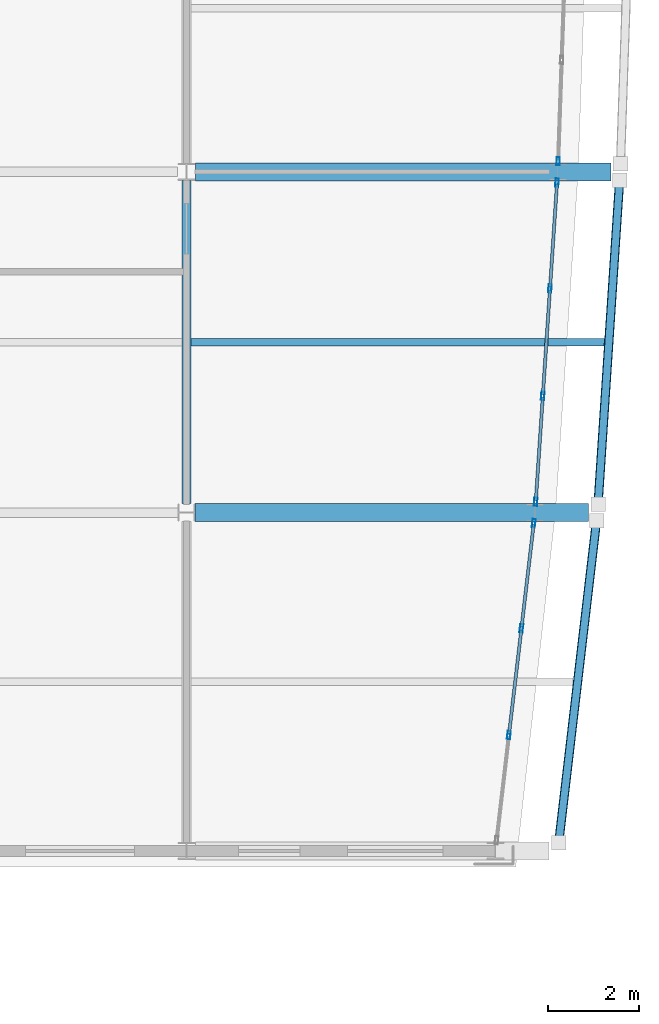
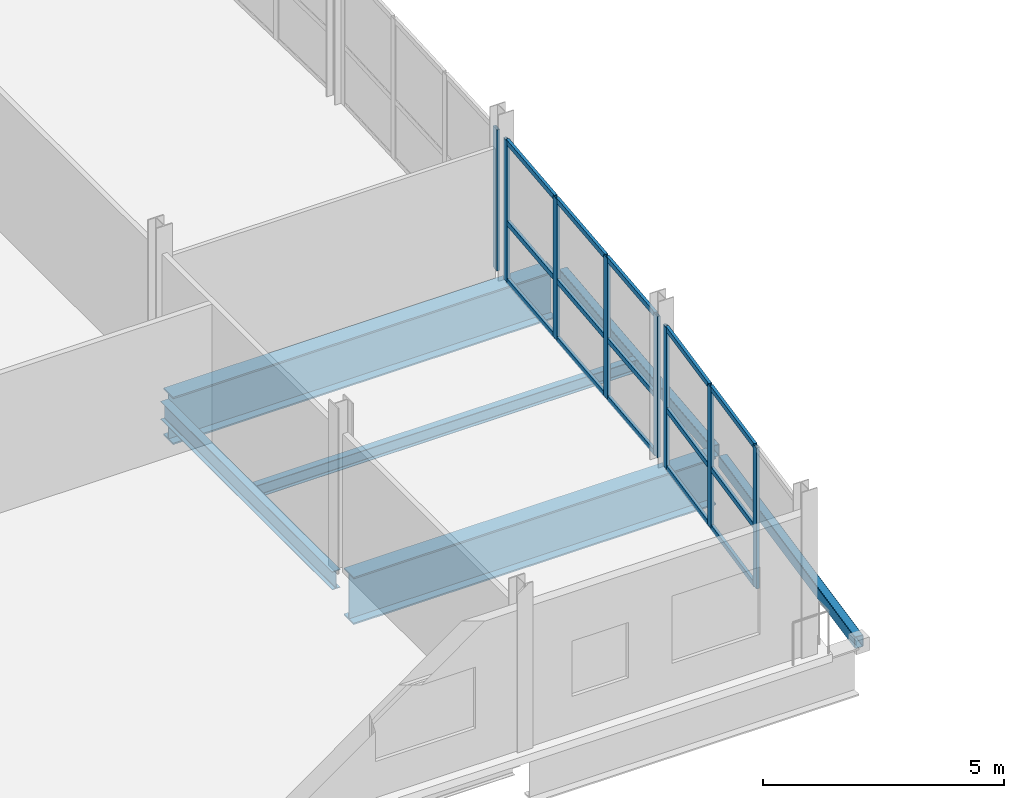
# One storey, part 4 of 23: 23 members, 6 beams, 3 elements without a shape of their own.
"""IFC4 building model written with IfcOpenShell, lengths in metres."""

from ifc_helpers import new_model, si_unit, direction, frame, origin, origin_2d, place, context, subcontext, project, spatial, hollow_rectangle, i_section, extrude, material, layer, layer_set, material_profile, profile_set, type_object, element, aggregate, save


model = new_model("IFC4")

# Units and contexts
model_context = context("Model", 3, precision=1e-05, world=origin(), true_north=direction((0.0, 1.0)))
body_context = subcontext(model_context, "Body", "Model", "MODEL_VIEW")
ifc_project = project(units=[si_unit("LENGTHUNIT", "METRE"), si_unit("AREAUNIT", "SQUARE_METRE"), si_unit("VOLUMEUNIT", "CUBIC_METRE"), si_unit("PLANEANGLEUNIT", "RADIAN"), si_unit("MASSUNIT", "GRAM", prefix="KILO")], contexts=[model_context])

# Site, building, storey
site_placement = place(None, origin())
site = spatial("IfcSite", under=ifc_project, at=site_placement, CompositionType="ELEMENT")
building_placement = place(site_placement, origin())
building = spatial("IfcBuilding", under=site, at=building_placement, Name="Quillay Park Conservatory", CompositionType="ELEMENT")
storey_placement = place(building_placement, frame((0.0, 0.0, 22.5)))
storey = spatial("IfcBuildingStorey", under=building, at=storey_placement, Name="L05", CompositionType="ELEMENT", Elevation=22.5)

# Beam
ifc_material_1 = material(Name="Steel ASTM A992 Grade 50", Category="steel")
ifc_material_profile_1 = material_profile(ifc_material_1, i_section(OverallWidth=0.166015625, OverallDepth=0.31298828125, WebThickness=0.006591796875, FlangeThickness=0.01123046875, FilletRadius=0.010009765625, at=origin_2d()), Name="W310x45")
ifc_profile_set_1 = profile_set([ifc_material_profile_1], Name="Steel ASTM A992 Grade 50")
beam_type_1 = type_object("IfcBeamType", Name="COMPOSITE FLOOR JOIST W310 X45", PredefinedType="JOIST", material=ifc_profile_set_1)
beam_1_placement = place(storey_placement, frame((19.845947265625, 74.25, -0.3564453125), z_axis=(1.0, 0.0, 0.0), x_axis=(0.0, 1.0, 0.0)))
element("IfcBeam", 1, at=beam_1_placement, inside=storey, type_object=beam_type_1, Name="L05 beam BM-J-0414", PredefinedType="JOIST", context=body_context, shape_type="SweptSolid", body=[
    extrude(i_section(OverallWidth=0.166015625, OverallDepth=0.31298828125, WebThickness=0.006591796875, FlangeThickness=0.01123046875, FilletRadius=0.010009765625, at=origin_2d()), origin(), (0.0, 0.0, 1.0), 9.10400390625),
])

# Curtain wall, members
ifc_material_2 = material(Name="Thermally Broken Anodised Aluminium 6063-T6", Category="aluminium")
ifc_layer = layer(ifc_material_2, 0.179931640625)
ifc_layer_set = layer_set([ifc_layer], Name="UNITISED CURTAIN WALL TOWER (Thermally Broken Anodised Aluminium 6063-T6)")
curtain_wall_type = type_object("IfcCurtainWallType", Name="UNITISED CURTAIN WALL TOWER", PredefinedType="USERDEFINED", material=ifc_layer_set)
curtain_wall_1_placement = place(storey_placement, origin())
curtain_wall_1 = element("IfcCurtainWall", 2, at=curtain_wall_1_placement, inside=storey, type_object=curtain_wall_type, Name="L05 Unitised Curtain Wall 048", ObjectType="UNITISED CURTAIN WALL", PredefinedType="USERDEFINED")
ifc_material_3 = material(Name="Thermally Broken Anodised Aluminium 6063-T6", Category="aluminium")
ifc_material_profile_2 = material_profile(ifc_material_3, hollow_rectangle(XDim=0.070068359375, YDim=0.179931640625, WallThickness=0.00390625, at=origin_2d()), Name="AL70x180x4")
ifc_profile_set_2 = profile_set([ifc_material_profile_2], Name="Thermally Broken Anodised Aluminium 6063-T6")
member_type_1 = type_object("IfcMemberType", Name="CURTAIN WALL MULLION 70 X180", PredefinedType="MULLION", material=ifc_profile_set_2)
member_1_placement = place(storey_placement, frame((27.397705078125, 70.2666015625, 0.0), z_axis=(0.0, 0.0, 1.0), x_axis=(0.993172502804, -0.116654959918, 0.0)))
member_1 = element("IfcMember", 3, at=member_1_placement, type_object=member_type_1, Name="CW-T1 mullion 1", PredefinedType="MULLION", context=body_context, shape_type="SweptSolid", body=[
    extrude(hollow_rectangle(XDim=0.070068359375, YDim=0.179931640625, WallThickness=0.00390625, at=origin_2d()), origin(), (0.0, 0.0, 1.0), 3.569091796875),
])
member_2_placement = place(storey_placement, frame((27.12548828125, 67.950439453125, 0.0), z_axis=(0.0, 0.0, 1.0), x_axis=(0.993172502804, -0.116654959918, 0.0)))
member_2 = element("IfcMember", 4, at=member_2_placement, type_object=member_type_1, Name="CW-T1 mullion 2", PredefinedType="MULLION", context=body_context, shape_type="SweptSolid", body=[
    extrude(hollow_rectangle(XDim=0.070068359375, YDim=0.179931640625, WallThickness=0.00390625, at=origin_2d()), origin(), (0.0, 0.0, 1.0), 3.569091796875),
])
member_3_placement = place(storey_placement, frame((26.849365234375, 65.599609375, 0.0), z_axis=(0.0, 0.0, 1.0), x_axis=(0.993172502804, -0.116654959918, 0.0)))
member_3 = element("IfcMember", 5, at=member_3_placement, type_object=member_type_1, Name="CW-T1 mullion 3", PredefinedType="MULLION", context=body_context, shape_type="SweptSolid", body=[
    extrude(hollow_rectangle(XDim=0.070068359375, YDim=0.179931640625, WallThickness=0.00390625, at=origin_2d()), origin(), (0.0, 0.0, 1.0), 3.569091796875),
])

curtain_wall_2_placement = place(storey_placement, origin())
curtain_wall_2 = element("IfcCurtainWall", 6, at=curtain_wall_2_placement, inside=storey, type_object=curtain_wall_type, Name="L05 Unitised Curtain Wall 049", ObjectType="UNITISED CURTAIN WALL", PredefinedType="USERDEFINED")
member_4_placement = place(storey_placement, frame((27.909423828125, 77.765380859375, 0.0), z_axis=(0.0, 0.0, 1.0), x_axis=(0.997785033503, -0.0665208758, 0.0)))
member_4 = element("IfcMember", 7, at=member_4_placement, type_object=member_type_1, Name="CW-T1 mullion 1", PredefinedType="MULLION", context=body_context, shape_type="SweptSolid", body=[
    extrude(hollow_rectangle(XDim=0.070068359375, YDim=0.179931640625, WallThickness=0.00390625, at=origin_2d()), origin(), (0.0, 0.0, 1.0), 3.569091796875),
])
member_5_placement = place(storey_placement, frame((27.75390625, 75.433349609375, 0.0), z_axis=(0.0, 0.0, 1.0), x_axis=(0.997785033503, -0.0665208758, 0.0)))
member_5 = element("IfcMember", 8, at=member_5_placement, type_object=member_type_1, Name="CW-T1 mullion 2", PredefinedType="MULLION", context=body_context, shape_type="SweptSolid", body=[
    extrude(hollow_rectangle(XDim=0.070068359375, YDim=0.179931640625, WallThickness=0.00390625, at=origin_2d()), origin(), (0.0, 0.0, 1.0), 3.569091796875),
])
member_6_placement = place(storey_placement, frame((27.59619140625, 73.066650390625, 0.0), z_axis=(0.0, 0.0, 1.0), x_axis=(0.997785033503, -0.0665208758, 0.0)))
member_6 = element("IfcMember", 9, at=member_6_placement, type_object=member_type_1, Name="CW-T1 mullion 3", PredefinedType="MULLION", context=body_context, shape_type="SweptSolid", body=[
    extrude(hollow_rectangle(XDim=0.070068359375, YDim=0.179931640625, WallThickness=0.00390625, at=origin_2d()), origin(), (0.0, 0.0, 1.0), 3.569091796875),
])
member_7_placement = place(storey_placement, frame((27.440673828125, 70.734619140625, 0.0), z_axis=(0.0, 0.0, 1.0), x_axis=(0.997785033503, -0.0665208758, 0.0)))
member_7 = element("IfcMember", 10, at=member_7_placement, type_object=member_type_1, Name="CW-T1 mullion 4", PredefinedType="MULLION", context=body_context, shape_type="SweptSolid", body=[
    extrude(hollow_rectangle(XDim=0.070068359375, YDim=0.179931640625, WallThickness=0.00390625, at=origin_2d()), origin(), (0.0, 0.0, 1.0), 3.569091796875),
])

# Curtain wall, member
curtain_wall_3_placement = place(storey_placement, origin())
curtain_wall_3 = element("IfcCurtainWall", 11, at=curtain_wall_3_placement, inside=storey, type_object=curtain_wall_type, Name="L05 Unitised Curtain Wall 050", ObjectType="UNITISED CURTAIN WALL", PredefinedType="USERDEFINED")
member_8_placement = place(storey_placement, frame((27.93310546875, 78.23486328125, 0.0), z_axis=(0.0, 0.0, 1.0), x_axis=(0.999397310446, -0.034713338537, 0.0)))
member_8 = element("IfcMember", 12, at=member_8_placement, type_object=member_type_1, Name="CW-T1 mullion 4", PredefinedType="MULLION", context=body_context, shape_type="SweptSolid", body=[
    extrude(hollow_rectangle(XDim=0.070068359375, YDim=0.179931640625, WallThickness=0.00390625, at=origin_2d()), origin(), (0.0, 0.0, 1.0), 3.569091796875),
])
aggregate(curtain_wall_3, [member_8])

# Member
ifc_material_4 = material(Name="Thermally Broken Anodised Aluminium 6063-T6", Category="aluminium")
ifc_material_profile_3 = material_profile(ifc_material_4, hollow_rectangle(XDim=0.070068359375, YDim=0.1298828125, WallThickness=0.003173828125, at=origin_2d()), Name="AL70x130x3.2")
ifc_profile_set_3 = profile_set([ifc_material_profile_3], Name="Thermally Broken Anodised Aluminium 6063-T6")
member_type_2 = type_object("IfcMemberType", Name="CURTAIN WALL TRANSOM 70 X130", PredefinedType="USERDEFINED", material=ifc_profile_set_3)
member_9_placement = place(storey_placement, frame((27.3935546875, 70.23193359375, 0.034912109375), z_axis=(-0.116659662976, -0.993171950386, 0.0), x_axis=(0.993171950386, -0.116659662976, 0.0)))
member_9 = element("IfcMember", 13, at=member_9_placement, type_object=member_type_2, Name="CW-T1 transom 1.1", ObjectType="TRANSOM", PredefinedType="USERDEFINED", context=body_context, shape_type="SweptSolid", body=[
    extrude(hollow_rectangle(XDim=0.070068359375, YDim=0.1298828125, WallThickness=0.003173828125, at=origin_2d()), origin(), (0.0, 0.0, 1.0), 2.26220703125),
])

member_10_placement = place(storey_placement, frame((27.3935546875, 70.23193359375, 1.4990234375), z_axis=(-0.116659662976, -0.993171950386, 0.0), x_axis=(0.993171950386, -0.116659662976, 0.0)))
member_10 = element("IfcMember", 14, at=member_10_placement, type_object=member_type_2, Name="CW-T1 transom 1.2", ObjectType="TRANSOM", PredefinedType="USERDEFINED", context=body_context, shape_type="SweptSolid", body=[
    extrude(hollow_rectangle(XDim=0.070068359375, YDim=0.1298828125, WallThickness=0.003173828125, at=origin_2d()), origin(), (0.0, 0.0, 1.0), 2.26220703125),
])

member_11_placement = place(storey_placement, frame((27.3935546875, 70.23193359375, 3.533935546875), z_axis=(-0.116659662976, -0.993171950386, 0.0), x_axis=(0.993171950386, -0.116659662976, 0.0)))
member_11 = element("IfcMember", 15, at=member_11_placement, type_object=member_type_2, Name="CW-T1 transom 1.3", ObjectType="TRANSOM", PredefinedType="USERDEFINED", context=body_context, shape_type="SweptSolid", body=[
    extrude(hollow_rectangle(XDim=0.070068359375, YDim=0.1298828125, WallThickness=0.003173828125, at=origin_2d()), origin(), (0.0, 0.0, 1.0), 2.26220703125),
])

member_12_placement = place(storey_placement, frame((27.12158203125, 67.915771484375, 0.034912109375), z_axis=(-0.116693255048, -0.993168004029, 0.0), x_axis=(0.993168004029, -0.116693255048, 0.0)))
member_12 = element("IfcMember", 16, at=member_12_placement, type_object=member_type_2, Name="CW-T1 transom 2.1", ObjectType="TRANSOM", PredefinedType="USERDEFINED", context=body_context, shape_type="SweptSolid", body=[
    extrude(hollow_rectangle(XDim=0.070068359375, YDim=0.1298828125, WallThickness=0.003173828125, at=origin_2d()), origin(), (0.0, 0.0, 1.0), 2.297119140625),
])

member_13_placement = place(storey_placement, frame((27.12158203125, 67.915771484375, 1.4990234375), z_axis=(-0.116693255048, -0.993168004029, 0.0), x_axis=(0.993168004029, -0.116693255048, 0.0)))
member_13 = element("IfcMember", 17, at=member_13_placement, type_object=member_type_2, Name="CW-T1 transom 2.2", ObjectType="TRANSOM", PredefinedType="USERDEFINED", context=body_context, shape_type="SweptSolid", body=[
    extrude(hollow_rectangle(XDim=0.070068359375, YDim=0.1298828125, WallThickness=0.003173828125, at=origin_2d()), origin(), (0.0, 0.0, 1.0), 2.297119140625),
])

member_14_placement = place(storey_placement, frame((27.12158203125, 67.915771484375, 3.533935546875), z_axis=(-0.116693255048, -0.993168004029, 0.0), x_axis=(0.993168004029, -0.116693255048, 0.0)))
member_14 = element("IfcMember", 18, at=member_14_placement, type_object=member_type_2, Name="CW-T1 transom 2.3", ObjectType="TRANSOM", PredefinedType="USERDEFINED", context=body_context, shape_type="SweptSolid", body=[
    extrude(hollow_rectangle(XDim=0.070068359375, YDim=0.1298828125, WallThickness=0.003173828125, at=origin_2d()), origin(), (0.0, 0.0, 1.0), 2.297119140625),
])

aggregate(curtain_wall_1, [member_1, member_2, member_3, member_9, member_10, member_11, member_12, member_13, member_14])

member_15_placement = place(storey_placement, frame((27.906982421875, 77.73046875, 0.034912109375), z_axis=(-0.066447531676, -0.997789920542, 0.0), x_axis=(0.997789920542, -0.066447531676, 0.0)))
member_15 = element("IfcMember", 19, at=member_15_placement, type_object=member_type_2, Name="CW-T1 transom 1.1", ObjectType="TRANSOM", PredefinedType="USERDEFINED", context=body_context, shape_type="SweptSolid", body=[
    extrude(hollow_rectangle(XDim=0.070068359375, YDim=0.1298828125, WallThickness=0.003173828125, at=origin_2d()), origin(), (0.0, 0.0, 1.0), 2.26708984375),
])

member_16_placement = place(storey_placement, frame((27.906982421875, 77.73046875, 1.4990234375), z_axis=(-0.066447531676, -0.997789920542, 0.0), x_axis=(0.997789920542, -0.066447531676, 0.0)))
member_16 = element("IfcMember", 20, at=member_16_placement, type_object=member_type_2, Name="CW-T1 transom 1.2", ObjectType="TRANSOM", PredefinedType="USERDEFINED", context=body_context, shape_type="SweptSolid", body=[
    extrude(hollow_rectangle(XDim=0.070068359375, YDim=0.1298828125, WallThickness=0.003173828125, at=origin_2d()), origin(), (0.0, 0.0, 1.0), 2.26708984375),
])

member_17_placement = place(storey_placement, frame((27.906982421875, 77.73046875, 3.533935546875), z_axis=(-0.066447531676, -0.997789920542, 0.0), x_axis=(0.997789920542, -0.066447531676, 0.0)))
member_17 = element("IfcMember", 21, at=member_17_placement, type_object=member_type_2, Name="CW-T1 transom 1.3", ObjectType="TRANSOM", PredefinedType="USERDEFINED", context=body_context, shape_type="SweptSolid", body=[
    extrude(hollow_rectangle(XDim=0.070068359375, YDim=0.1298828125, WallThickness=0.003173828125, at=origin_2d()), origin(), (0.0, 0.0, 1.0), 2.26708984375),
])

member_18_placement = place(storey_placement, frame((27.75146484375, 75.3984375, 0.034912109375), z_axis=(-0.066497892916, -0.997786565473, 0.0), x_axis=(0.997786565473, -0.066497892916, 0.0)))
member_18 = element("IfcMember", 22, at=member_18_placement, type_object=member_type_2, Name="CW-T1 transom 2.1", ObjectType="TRANSOM", PredefinedType="USERDEFINED", context=body_context, shape_type="SweptSolid", body=[
    extrude(hollow_rectangle(XDim=0.070068359375, YDim=0.1298828125, WallThickness=0.003173828125, at=origin_2d()), origin(), (0.0, 0.0, 1.0), 2.302001953125),
])

member_19_placement = place(storey_placement, frame((27.75146484375, 75.3984375, 1.4990234375), z_axis=(-0.066497892916, -0.997786565473, 0.0), x_axis=(0.997786565473, -0.066497892916, 0.0)))
member_19 = element("IfcMember", 23, at=member_19_placement, type_object=member_type_2, Name="CW-T1 transom 2.2", ObjectType="TRANSOM", PredefinedType="USERDEFINED", context=body_context, shape_type="SweptSolid", body=[
    extrude(hollow_rectangle(XDim=0.070068359375, YDim=0.1298828125, WallThickness=0.003173828125, at=origin_2d()), origin(), (0.0, 0.0, 1.0), 2.302001953125),
])

member_20_placement = place(storey_placement, frame((27.75146484375, 75.3984375, 3.533935546875), z_axis=(-0.066497892916, -0.997786565473, 0.0), x_axis=(0.997786565473, -0.066497892916, 0.0)))
member_20 = element("IfcMember", 24, at=member_20_placement, type_object=member_type_2, Name="CW-T1 transom 2.3", ObjectType="TRANSOM", PredefinedType="USERDEFINED", context=body_context, shape_type="SweptSolid", body=[
    extrude(hollow_rectangle(XDim=0.070068359375, YDim=0.1298828125, WallThickness=0.003173828125, at=origin_2d()), origin(), (0.0, 0.0, 1.0), 2.302001953125),
])

member_21_placement = place(storey_placement, frame((27.59375, 73.031494140625, 0.034912109375), z_axis=(-0.066554749564, -0.997782774611, 0.0), x_axis=(0.997782774611, -0.066554749564, 0.0)))
member_21 = element("IfcMember", 25, at=member_21_placement, type_object=member_type_2, Name="CW-T1 transom 3.1", ObjectType="TRANSOM", PredefinedType="USERDEFINED", context=body_context, shape_type="SweptSolid", body=[
    extrude(hollow_rectangle(XDim=0.070068359375, YDim=0.1298828125, WallThickness=0.003173828125, at=origin_2d()), origin(), (0.0, 0.0, 1.0), 2.26708984375),
])

member_22_placement = place(storey_placement, frame((27.59375, 73.031494140625, 1.4990234375), z_axis=(-0.066554749564, -0.997782774611, 0.0), x_axis=(0.997782774611, -0.066554749564, 0.0)))
member_22 = element("IfcMember", 26, at=member_22_placement, type_object=member_type_2, Name="CW-T1 transom 3.2", ObjectType="TRANSOM", PredefinedType="USERDEFINED", context=body_context, shape_type="SweptSolid", body=[
    extrude(hollow_rectangle(XDim=0.070068359375, YDim=0.1298828125, WallThickness=0.003173828125, at=origin_2d()), origin(), (0.0, 0.0, 1.0), 2.26708984375),
])

member_23_placement = place(storey_placement, frame((27.59375, 73.031494140625, 3.533935546875), z_axis=(-0.066554749564, -0.997782774611, 0.0), x_axis=(0.997782774611, -0.066554749564, 0.0)))
member_23 = element("IfcMember", 27, at=member_23_placement, type_object=member_type_2, Name="CW-T1 transom 3.3", ObjectType="TRANSOM", PredefinedType="USERDEFINED", context=body_context, shape_type="SweptSolid", body=[
    extrude(hollow_rectangle(XDim=0.070068359375, YDim=0.1298828125, WallThickness=0.003173828125, at=origin_2d()), origin(), (0.0, 0.0, 1.0), 2.26708984375),
])

aggregate(curtain_wall_2, [member_4, member_5, member_6, member_7, member_15, member_16, member_17, member_18, member_19, member_20, member_21, member_22, member_23])

# Beams
ifc_material_5 = material(Name="Steel S355J2H", Category="steel")
ifc_material_profile_4 = material_profile(ifc_material_5, hollow_rectangle(XDim=0.199951171875, YDim=0.300048828125, WallThickness=0.012451171875, InnerFilletRadius=0.012451171875, OuterFilletRadius=0.02490234375, at=origin_2d()), Name="RHS300x200x12.5")
ifc_profile_set_4 = profile_set([ifc_material_profile_4], Name="Steel S355J2H")
beam_type_2 = type_object("IfcBeamType", Name="PERIMETER SPANDREL BEAM RHS300", PredefinedType="SPANDREL", material=ifc_profile_set_4)
beam_2_placement = place(storey_placement, frame((27.947265625, 63.23876953125, -0.35009765625), z_axis=(0.116634370571, 0.993174920949, 0.0), x_axis=(-0.993174920949, 0.116634370571, 0.0)))
element("IfcBeam", 28, at=beam_2_placement, inside=storey, type_object=beam_type_2, Name="L05 beam BM-SPE-0403", PredefinedType="SPANDREL", context=body_context, shape_type="SweptSolid", body=[
    extrude(hollow_rectangle(XDim=0.199951171875, YDim=0.300048828125, WallThickness=0.012451171875, InnerFilletRadius=0.012451171875, OuterFilletRadius=0.02490234375, at=origin_2d()), origin(), (0.0, 0.0, 1.0), 7.12109375),
])
beam_3_placement = place(storey_placement, frame((28.8125, 70.689697265625, -0.35009765625), z_axis=(0.066539445993, 0.997783795282, 0.0), x_axis=(-0.997783795282, 0.066539445993, 0.0)))
element("IfcBeam", 29, at=beam_3_placement, inside=storey, type_object=beam_type_2, Name="L05 beam BM-SPE-0410", PredefinedType="SPANDREL", context=body_context, shape_type="SweptSolid", body=[
    extrude(hollow_rectangle(XDim=0.199951171875, YDim=0.300048828125, WallThickness=0.012451171875, InnerFilletRadius=0.012451171875, OuterFilletRadius=0.02490234375, at=origin_2d()), origin(), (0.0, 0.0, 1.0), 7.136474609375),
])
ifc_material_6 = material(Name="Steel ASTM A992 Grade 50", Category="steel")
ifc_material_profile_5 = material_profile(ifc_material_6, i_section(OverallWidth=0.19189453125, OverallDepth=0.462890625, WebThickness=0.010498046875, FlangeThickness=0.017578125, FilletRadius=0.012939453125, at=origin_2d()), Name="W460x89")
ifc_profile_set_5 = profile_set([ifc_material_profile_5], Name="Steel ASTM A992 Grade 50")
beam_type_3 = type_object("IfcBeamType", Name="PRIMARY FLOOR GIRDER W460 X89", PredefinedType="BEAM", material=ifc_profile_set_5)
beam_4_placement = place(storey_placement, frame((19.75, 70.697509765625, -0.431396484375), z_axis=(0.0, 1.0, 0.0), x_axis=(-1.0, 0.0, 0.0)))
element("IfcBeam", 30, at=beam_4_placement, inside=storey, type_object=beam_type_3, Name="L05 beam BM-GNS-0412", PredefinedType="BEAM", context=body_context, shape_type="SweptSolid", body=[
    extrude(i_section(OverallWidth=0.19189453125, OverallDepth=0.462890625, WebThickness=0.010498046875, FlangeThickness=0.017578125, FilletRadius=0.012939453125, at=origin_2d()), origin(), (0.0, 0.0, 1.0), 7.112548828125),
])
ifc_material_7 = material(Name="Steel ASTM A572 Grade 50", Category="steel")
ifc_material_profile_6 = material_profile(ifc_material_7, i_section(OverallWidth=0.39990234375, OverallDepth=1.199951171875, WebThickness=0.02001953125, FlangeThickness=0.0380859375, at=origin_2d()), Name="IG1200x400")
ifc_profile_set_6 = profile_set([ifc_material_profile_6], Name="Steel ASTM A572 Grade 50")
beam_type_4 = type_object("IfcBeamType", Name="TRANSFER PLATE GIRDER IG1200", PredefinedType="USERDEFINED", material=ifc_profile_set_6)
beam_5_placement = place(storey_placement, frame((19.93994140625, 70.5, -0.800048828125), z_axis=(1.0, 0.0, 0.0), x_axis=(0.0, 1.0, 0.0)))
element("IfcBeam", 31, at=beam_5_placement, inside=storey, type_object=beam_type_4, Name="L05 beam BM-TG2-0385", ObjectType="TRANSFER PLATE GIRDER", PredefinedType="USERDEFINED", context=body_context, shape_type="SweptSolid", body=[
    extrude(i_section(OverallWidth=0.39990234375, OverallDepth=1.199951171875, WebThickness=0.02001953125, FlangeThickness=0.0380859375, at=origin_2d()), origin(), (0.0, 0.0, 1.0), 8.66259765625),
])
beam_6_placement = place(storey_placement, frame((19.947509765625, 78.0, -0.800048828125), z_axis=(1.0, 0.0, 0.0), x_axis=(0.0, 1.0, 0.0)))
element("IfcBeam", 32, at=beam_6_placement, inside=storey, type_object=beam_type_4, Name="L05 beam BM-TG2-0388", ObjectType="TRANSFER PLATE GIRDER", PredefinedType="USERDEFINED", context=body_context, shape_type="SweptSolid", body=[
    extrude(i_section(OverallWidth=0.39990234375, OverallDepth=1.199951171875, WebThickness=0.02001953125, FlangeThickness=0.0380859375, at=origin_2d()), origin(), (0.0, 0.0, 1.0), 9.155029296875),
])

save(model, "model.ifc")
